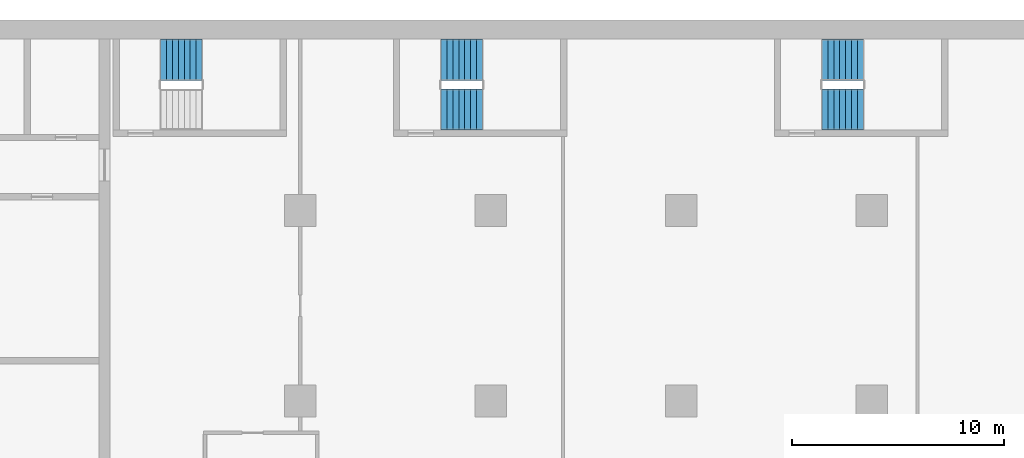
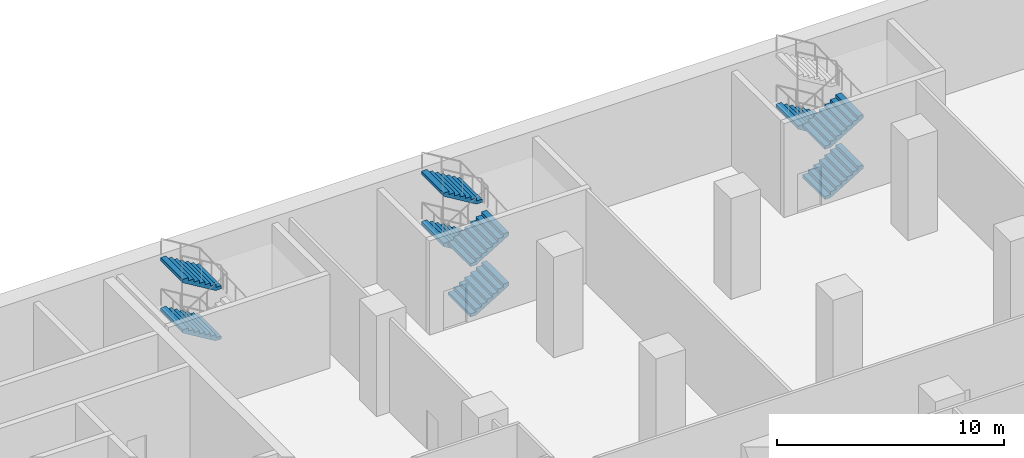
# One storey, part 28 of 43: 9 stair flights, 3 elements without a shape of their own.
"""IFC4 building model written with IfcOpenShell, lengths in metres."""

from ifc_helpers import new_model, si_unit, direction, frame, origin, place, context, subcontext, project, spatial, polyline, outline, extrude, material, type_object, element, aggregate, save


model = new_model("IFC4")

# Units and contexts
model_context = context("Model", 3, precision=1e-05, world=origin(), true_north=direction((0.0, 1.0)))
body_context = subcontext(model_context, "Body", "Model", "MODEL_VIEW")
ifc_project = project(units=[si_unit("LENGTHUNIT", "METRE"), si_unit("AREAUNIT", "SQUARE_METRE"), si_unit("VOLUMEUNIT", "CUBIC_METRE"), si_unit("PLANEANGLEUNIT", "RADIAN"), si_unit("MASSUNIT", "GRAM", prefix="KILO")], contexts=[model_context])

# Site, building, storey
site_placement = place(None, origin())
site = spatial("IfcSite", under=ifc_project, at=site_placement, CompositionType="ELEMENT")
building_placement = place(site_placement, origin())
building = spatial("IfcBuilding", under=site, at=building_placement, Name="Hunhe Ridgeline Campus", CompositionType="ELEMENT")
storey_placement = place(building_placement, frame((0.0, 0.0, 11.39990234375)))
storey = spatial("IfcBuildingStorey", under=building, at=storey_placement, Name="L02", CompositionType="ELEMENT", Elevation=11.39990234375)

# Stair, stair flights
ifc_material = material(Name="Concrete C40", Category="concrete")
stair_type = type_object("IfcStairType", Name="Reinforced concrete dog-leg stair 1950 Concrete C40", PredefinedType="HALF_TURN_STAIR", material=ifc_material)
stair_1_placement = place(storey_placement, origin())
stair_1 = element("IfcStair", 1, at=stair_1_placement, inside=storey, type_object=stair_type, Name="L02 E1", PredefinedType="HALF_TURN_STAIR")
stair_flight_type = type_object("IfcStairFlightType", Name="Reinforced concrete stair flight 1950 Concrete C40", PredefinedType="STRAIGHT", material=ifc_material)
stair_flight_1_placement = place(storey_placement, frame((40.360107421875, 97.125, 1.35009765625), z_axis=(0.0, 0.0, 1.0), x_axis=(-1.0, 0.0, 0.0)))
stair_flight_1 = element("IfcStairFlight", 2, at=stair_flight_1_placement, type_object=stair_flight_type, Name="ST5 flight 2", NumberOfRisers=8, NumberOfTreads=7, PredefinedType="STRAIGHT", RiserHeight=0.16875, TreadLength=0.28, context=body_context, shape_type="SweptSolid", body=[
    extrude(outline(polyline([(0.0, 0.0), (0.0, 0.168701171875), (0.280029296875, 0.168701171875), (0.280029296875, 0.33740234375), (0.56005859375, 0.33740234375), (0.56005859375, 0.50634765625), (0.840087890625, 0.50634765625), (0.840087890625, 0.675048828125), (1.1201171875, 0.675048828125), (1.1201171875, 0.84375), (1.39990234375, 0.84375), (1.39990234375, 1.012451171875), (1.679931640625, 1.012451171875), (1.679931640625, 1.18115234375), (1.9599609375, 1.18115234375), (1.9599609375, 1.35009765625), (1.9599609375, 1.00634765625), (0.29052734375, 0.0), (0.0, 0.0)])), frame((0.0, 0.97509765625, 0.0), z_axis=(0.0, -1.0, 0.0), x_axis=(1.0, 0.0, 0.0)), (0.0, 0.0, 1.0), 1.949951171875),
    extrude(outline(polyline([(0.030029296875, 0.030029296875), (0.030029296875, 0.138916015625), (0.31005859375, 0.138916015625), (0.31005859375, 0.3076171875), (0.590087890625, 0.3076171875), (0.590087890625, 0.476318359375), (0.8701171875, 0.476318359375), (0.8701171875, 0.64501953125), (1.14990234375, 0.64501953125), (1.14990234375, 0.813720703125), (1.429931640625, 0.813720703125), (1.429931640625, 0.982421875), (1.7099609375, 0.982421875), (1.7099609375, 1.1513671875), (1.929931640625, 1.1513671875), (1.929931640625, 1.023193359375), (0.281982421875, 0.030029296875), (0.030029296875, 0.030029296875)])), frame((0.0, -0.070068359375, 0.0), z_axis=(0.0, -1.0, 0.0), x_axis=(1.0, 0.0, 0.0)), (0.0, 0.0, 1.0), 0.019775390625),
    extrude(outline(polyline([(0.030029296875, 0.030029296875), (0.030029296875, 0.138916015625), (0.31005859375, 0.138916015625), (0.31005859375, 0.3076171875), (0.590087890625, 0.3076171875), (0.590087890625, 0.476318359375), (0.8701171875, 0.476318359375), (0.8701171875, 0.64501953125), (1.14990234375, 0.64501953125), (1.14990234375, 0.813720703125), (1.429931640625, 0.813720703125), (1.429931640625, 0.982421875), (1.7099609375, 0.982421875), (1.7099609375, 1.1513671875), (1.929931640625, 1.1513671875), (1.929931640625, 1.023193359375), (0.281982421875, 0.030029296875), (0.030029296875, 0.030029296875)])), frame((0.0, 0.010009765625, 0.0), z_axis=(0.0, -1.0, 0.0), x_axis=(1.0, 0.0, 0.0)), (0.0, 0.0, 1.0), 0.019775390625),
    extrude(outline(polyline([(0.030029296875, 0.030029296875), (0.030029296875, 0.138916015625), (0.31005859375, 0.138916015625), (0.31005859375, 0.3076171875), (0.590087890625, 0.3076171875), (0.590087890625, 0.476318359375), (0.8701171875, 0.476318359375), (0.8701171875, 0.64501953125), (1.14990234375, 0.64501953125), (1.14990234375, 0.813720703125), (1.429931640625, 0.813720703125), (1.429931640625, 0.982421875), (1.7099609375, 0.982421875), (1.7099609375, 1.1513671875), (1.929931640625, 1.1513671875), (1.929931640625, 1.023193359375), (0.281982421875, 0.030029296875), (0.030029296875, 0.030029296875)])), frame((0.0, 0.090087890625, 0.0), z_axis=(0.0, -1.0, 0.0), x_axis=(1.0, 0.0, 0.0)), (0.0, 0.0, 1.0), 0.019775390625),
])
stair_flight_2_placement = place(storey_placement, frame((40.360107421875, 97.125, 4.050048828125), z_axis=(0.0, 0.0, 1.0), x_axis=(-1.0, 0.0, 0.0)))
stair_flight_2 = element("IfcStairFlight", 3, at=stair_flight_2_placement, type_object=stair_flight_type, Name="ST5 flight 4", NumberOfRisers=8, NumberOfTreads=7, PredefinedType="STRAIGHT", RiserHeight=0.16875, TreadLength=0.28, context=body_context, shape_type="SweptSolid", body=[
    extrude(outline(polyline([(0.0, 0.0), (0.0, 0.168701171875), (0.280029296875, 0.168701171875), (0.280029296875, 0.33740234375), (0.56005859375, 0.33740234375), (0.56005859375, 0.50634765625), (0.840087890625, 0.50634765625), (0.840087890625, 0.675048828125), (1.1201171875, 0.675048828125), (1.1201171875, 0.84375), (1.39990234375, 0.84375), (1.39990234375, 1.012451171875), (1.679931640625, 1.012451171875), (1.679931640625, 1.18115234375), (1.9599609375, 1.18115234375), (1.9599609375, 1.35009765625), (1.9599609375, 1.00634765625), (0.29052734375, 0.0), (0.0, 0.0)])), frame((0.0, 0.97509765625, 0.0), z_axis=(0.0, -1.0, 0.0), x_axis=(1.0, 0.0, 0.0)), (0.0, 0.0, 1.0), 1.949951171875),
    extrude(outline(polyline([(0.030029296875, 0.030029296875), (0.030029296875, 0.138916015625), (0.31005859375, 0.138916015625), (0.31005859375, 0.3076171875), (0.590087890625, 0.3076171875), (0.590087890625, 0.476318359375), (0.8701171875, 0.476318359375), (0.8701171875, 0.64501953125), (1.14990234375, 0.64501953125), (1.14990234375, 0.813720703125), (1.429931640625, 0.813720703125), (1.429931640625, 0.982421875), (1.7099609375, 0.982421875), (1.7099609375, 1.1513671875), (1.929931640625, 1.1513671875), (1.929931640625, 1.023193359375), (0.281982421875, 0.030029296875), (0.030029296875, 0.030029296875)])), frame((0.0, -0.070068359375, 0.0), z_axis=(0.0, -1.0, 0.0), x_axis=(1.0, 0.0, 0.0)), (0.0, 0.0, 1.0), 0.019775390625),
    extrude(outline(polyline([(0.030029296875, 0.030029296875), (0.030029296875, 0.138916015625), (0.31005859375, 0.138916015625), (0.31005859375, 0.3076171875), (0.590087890625, 0.3076171875), (0.590087890625, 0.476318359375), (0.8701171875, 0.476318359375), (0.8701171875, 0.64501953125), (1.14990234375, 0.64501953125), (1.14990234375, 0.813720703125), (1.429931640625, 0.813720703125), (1.429931640625, 0.982421875), (1.7099609375, 0.982421875), (1.7099609375, 1.1513671875), (1.929931640625, 1.1513671875), (1.929931640625, 1.023193359375), (0.281982421875, 0.030029296875), (0.030029296875, 0.030029296875)])), frame((0.0, 0.010009765625, 0.0), z_axis=(0.0, -1.0, 0.0), x_axis=(1.0, 0.0, 0.0)), (0.0, 0.0, 1.0), 0.019775390625),
    extrude(outline(polyline([(0.030029296875, 0.030029296875), (0.030029296875, 0.138916015625), (0.31005859375, 0.138916015625), (0.31005859375, 0.3076171875), (0.590087890625, 0.3076171875), (0.590087890625, 0.476318359375), (0.8701171875, 0.476318359375), (0.8701171875, 0.64501953125), (1.14990234375, 0.64501953125), (1.14990234375, 0.813720703125), (1.429931640625, 0.813720703125), (1.429931640625, 0.982421875), (1.7099609375, 0.982421875), (1.7099609375, 1.1513671875), (1.929931640625, 1.1513671875), (1.929931640625, 1.023193359375), (0.281982421875, 0.030029296875), (0.030029296875, 0.030029296875)])), frame((0.0, 0.090087890625, 0.0), z_axis=(0.0, -1.0, 0.0), x_axis=(1.0, 0.0, 0.0)), (0.0, 0.0, 1.0), 0.019775390625),
])
aggregate(stair_1, [stair_flight_1, stair_flight_2])

stair_2_placement = place(storey_placement, origin())
stair_2 = element("IfcStair", 4, at=stair_2_placement, inside=storey, type_object=stair_type, Name="L02 E2", PredefinedType="HALF_TURN_STAIR")
stair_flight_3_placement = place(storey_placement, frame((51.64990234375, 94.77490234375, 0.0), z_axis=(0.0, 0.0, 1.0), x_axis=(1.0, 0.0, 0.0)))
stair_flight_3 = element("IfcStairFlight", 5, at=stair_flight_3_placement, type_object=stair_flight_type, Name="ST6 flight 1", NumberOfRisers=8, NumberOfTreads=7, PredefinedType="STRAIGHT", RiserHeight=0.16875, TreadLength=0.28, context=body_context, shape_type="SweptSolid", body=[
    extrude(outline(polyline([(0.0, 0.0), (0.0, 0.168701171875), (0.280029296875, 0.168701171875), (0.280029296875, 0.33740234375), (0.56005859375, 0.33740234375), (0.56005859375, 0.50634765625), (0.840087890625, 0.50634765625), (0.840087890625, 0.675048828125), (1.1201171875, 0.675048828125), (1.1201171875, 0.84375), (1.39990234375, 0.84375), (1.39990234375, 1.012451171875), (1.679931640625, 1.012451171875), (1.679931640625, 1.18115234375), (1.9599609375, 1.18115234375), (1.9599609375, 1.35009765625), (1.9599609375, 1.00634765625), (0.29052734375, 0.0), (0.0, 0.0)])), frame((0.0, 0.97509765625, 0.0), z_axis=(0.0, -1.0, 0.0), x_axis=(1.0, 0.0, 0.0)), (0.0, 0.0, 1.0), 1.949951171875),
    extrude(outline(polyline([(0.030029296875, 0.030029296875), (0.030029296875, 0.138916015625), (0.31005859375, 0.138916015625), (0.31005859375, 0.3076171875), (0.590087890625, 0.3076171875), (0.590087890625, 0.476318359375), (0.8701171875, 0.476318359375), (0.8701171875, 0.64501953125), (1.14990234375, 0.64501953125), (1.14990234375, 0.813720703125), (1.429931640625, 0.813720703125), (1.429931640625, 0.982421875), (1.7099609375, 0.982421875), (1.7099609375, 1.1513671875), (1.929931640625, 1.1513671875), (1.929931640625, 1.023193359375), (0.281982421875, 0.030029296875), (0.030029296875, 0.030029296875)])), frame((0.0, -0.070068359375, 0.0), z_axis=(0.0, -1.0, 0.0), x_axis=(1.0, 0.0, 0.0)), (0.0, 0.0, 1.0), 0.019775390625),
    extrude(outline(polyline([(0.030029296875, 0.030029296875), (0.030029296875, 0.138916015625), (0.31005859375, 0.138916015625), (0.31005859375, 0.3076171875), (0.590087890625, 0.3076171875), (0.590087890625, 0.476318359375), (0.8701171875, 0.476318359375), (0.8701171875, 0.64501953125), (1.14990234375, 0.64501953125), (1.14990234375, 0.813720703125), (1.429931640625, 0.813720703125), (1.429931640625, 0.982421875), (1.7099609375, 0.982421875), (1.7099609375, 1.1513671875), (1.929931640625, 1.1513671875), (1.929931640625, 1.023193359375), (0.281982421875, 0.030029296875), (0.030029296875, 0.030029296875)])), frame((0.0, 0.010009765625, 0.0), z_axis=(0.0, -1.0, 0.0), x_axis=(1.0, 0.0, 0.0)), (0.0, 0.0, 1.0), 0.019775390625),
    extrude(outline(polyline([(0.030029296875, 0.030029296875), (0.030029296875, 0.138916015625), (0.31005859375, 0.138916015625), (0.31005859375, 0.3076171875), (0.590087890625, 0.3076171875), (0.590087890625, 0.476318359375), (0.8701171875, 0.476318359375), (0.8701171875, 0.64501953125), (1.14990234375, 0.64501953125), (1.14990234375, 0.813720703125), (1.429931640625, 0.813720703125), (1.429931640625, 0.982421875), (1.7099609375, 0.982421875), (1.7099609375, 1.1513671875), (1.929931640625, 1.1513671875), (1.929931640625, 1.023193359375), (0.281982421875, 0.030029296875), (0.030029296875, 0.030029296875)])), frame((0.0, 0.090087890625, 0.0), z_axis=(0.0, -1.0, 0.0), x_axis=(1.0, 0.0, 0.0)), (0.0, 0.0, 1.0), 0.019775390625),
])
stair_flight_4_placement = place(storey_placement, frame((53.610107421875, 97.125, 1.35009765625), z_axis=(0.0, 0.0, 1.0), x_axis=(-1.0, 0.0, 0.0)))
stair_flight_4 = element("IfcStairFlight", 6, at=stair_flight_4_placement, type_object=stair_flight_type, Name="ST6 flight 2", NumberOfRisers=8, NumberOfTreads=7, PredefinedType="STRAIGHT", RiserHeight=0.16875, TreadLength=0.28, context=body_context, shape_type="SweptSolid", body=[
    extrude(outline(polyline([(0.0, 0.0), (0.0, 0.168701171875), (0.280029296875, 0.168701171875), (0.280029296875, 0.33740234375), (0.56005859375, 0.33740234375), (0.56005859375, 0.50634765625), (0.840087890625, 0.50634765625), (0.840087890625, 0.675048828125), (1.1201171875, 0.675048828125), (1.1201171875, 0.84375), (1.39990234375, 0.84375), (1.39990234375, 1.012451171875), (1.679931640625, 1.012451171875), (1.679931640625, 1.18115234375), (1.9599609375, 1.18115234375), (1.9599609375, 1.35009765625), (1.9599609375, 1.00634765625), (0.29052734375, 0.0), (0.0, 0.0)])), frame((0.0, 0.97509765625, 0.0), z_axis=(0.0, -1.0, 0.0), x_axis=(1.0, 0.0, 0.0)), (0.0, 0.0, 1.0), 1.949951171875),
    extrude(outline(polyline([(0.030029296875, 0.030029296875), (0.030029296875, 0.138916015625), (0.31005859375, 0.138916015625), (0.31005859375, 0.3076171875), (0.590087890625, 0.3076171875), (0.590087890625, 0.476318359375), (0.8701171875, 0.476318359375), (0.8701171875, 0.64501953125), (1.14990234375, 0.64501953125), (1.14990234375, 0.813720703125), (1.429931640625, 0.813720703125), (1.429931640625, 0.982421875), (1.7099609375, 0.982421875), (1.7099609375, 1.1513671875), (1.929931640625, 1.1513671875), (1.929931640625, 1.023193359375), (0.281982421875, 0.030029296875), (0.030029296875, 0.030029296875)])), frame((0.0, -0.070068359375, 0.0), z_axis=(0.0, -1.0, 0.0), x_axis=(1.0, 0.0, 0.0)), (0.0, 0.0, 1.0), 0.019775390625),
    extrude(outline(polyline([(0.030029296875, 0.030029296875), (0.030029296875, 0.138916015625), (0.31005859375, 0.138916015625), (0.31005859375, 0.3076171875), (0.590087890625, 0.3076171875), (0.590087890625, 0.476318359375), (0.8701171875, 0.476318359375), (0.8701171875, 0.64501953125), (1.14990234375, 0.64501953125), (1.14990234375, 0.813720703125), (1.429931640625, 0.813720703125), (1.429931640625, 0.982421875), (1.7099609375, 0.982421875), (1.7099609375, 1.1513671875), (1.929931640625, 1.1513671875), (1.929931640625, 1.023193359375), (0.281982421875, 0.030029296875), (0.030029296875, 0.030029296875)])), frame((0.0, 0.010009765625, 0.0), z_axis=(0.0, -1.0, 0.0), x_axis=(1.0, 0.0, 0.0)), (0.0, 0.0, 1.0), 0.019775390625),
    extrude(outline(polyline([(0.030029296875, 0.030029296875), (0.030029296875, 0.138916015625), (0.31005859375, 0.138916015625), (0.31005859375, 0.3076171875), (0.590087890625, 0.3076171875), (0.590087890625, 0.476318359375), (0.8701171875, 0.476318359375), (0.8701171875, 0.64501953125), (1.14990234375, 0.64501953125), (1.14990234375, 0.813720703125), (1.429931640625, 0.813720703125), (1.429931640625, 0.982421875), (1.7099609375, 0.982421875), (1.7099609375, 1.1513671875), (1.929931640625, 1.1513671875), (1.929931640625, 1.023193359375), (0.281982421875, 0.030029296875), (0.030029296875, 0.030029296875)])), frame((0.0, 0.090087890625, 0.0), z_axis=(0.0, -1.0, 0.0), x_axis=(1.0, 0.0, 0.0)), (0.0, 0.0, 1.0), 0.019775390625),
])
stair_flight_5_placement = place(storey_placement, frame((51.64990234375, 94.77490234375, 2.7001953125), z_axis=(0.0, 0.0, 1.0), x_axis=(1.0, 0.0, 0.0)))
stair_flight_5 = element("IfcStairFlight", 7, at=stair_flight_5_placement, type_object=stair_flight_type, Name="ST6 flight 3", NumberOfRisers=8, NumberOfTreads=7, PredefinedType="STRAIGHT", RiserHeight=0.16875, TreadLength=0.28, context=body_context, shape_type="SweptSolid", body=[
    extrude(outline(polyline([(0.0, 0.0), (0.0, 0.168701171875), (0.280029296875, 0.168701171875), (0.280029296875, 0.33740234375), (0.56005859375, 0.33740234375), (0.56005859375, 0.50634765625), (0.840087890625, 0.50634765625), (0.840087890625, 0.675048828125), (1.1201171875, 0.675048828125), (1.1201171875, 0.84375), (1.39990234375, 0.84375), (1.39990234375, 1.012451171875), (1.679931640625, 1.012451171875), (1.679931640625, 1.18115234375), (1.9599609375, 1.18115234375), (1.9599609375, 1.35009765625), (1.9599609375, 1.00634765625), (0.29052734375, 0.0), (0.0, 0.0)])), frame((0.0, 0.97509765625, 0.0), z_axis=(0.0, -1.0, 0.0), x_axis=(1.0, 0.0, 0.0)), (0.0, 0.0, 1.0), 1.949951171875),
    extrude(outline(polyline([(0.030029296875, 0.030029296875), (0.030029296875, 0.138916015625), (0.31005859375, 0.138916015625), (0.31005859375, 0.3076171875), (0.590087890625, 0.3076171875), (0.590087890625, 0.476318359375), (0.8701171875, 0.476318359375), (0.8701171875, 0.64501953125), (1.14990234375, 0.64501953125), (1.14990234375, 0.813720703125), (1.429931640625, 0.813720703125), (1.429931640625, 0.982421875), (1.7099609375, 0.982421875), (1.7099609375, 1.1513671875), (1.929931640625, 1.1513671875), (1.929931640625, 1.023193359375), (0.281982421875, 0.030029296875), (0.030029296875, 0.030029296875)])), frame((0.0, -0.070068359375, 0.0), z_axis=(0.0, -1.0, 0.0), x_axis=(1.0, 0.0, 0.0)), (0.0, 0.0, 1.0), 0.019775390625),
    extrude(outline(polyline([(0.030029296875, 0.030029296875), (0.030029296875, 0.138916015625), (0.31005859375, 0.138916015625), (0.31005859375, 0.3076171875), (0.590087890625, 0.3076171875), (0.590087890625, 0.476318359375), (0.8701171875, 0.476318359375), (0.8701171875, 0.64501953125), (1.14990234375, 0.64501953125), (1.14990234375, 0.813720703125), (1.429931640625, 0.813720703125), (1.429931640625, 0.982421875), (1.7099609375, 0.982421875), (1.7099609375, 1.1513671875), (1.929931640625, 1.1513671875), (1.929931640625, 1.023193359375), (0.281982421875, 0.030029296875), (0.030029296875, 0.030029296875)])), frame((0.0, 0.010009765625, 0.0), z_axis=(0.0, -1.0, 0.0), x_axis=(1.0, 0.0, 0.0)), (0.0, 0.0, 1.0), 0.019775390625),
    extrude(outline(polyline([(0.030029296875, 0.030029296875), (0.030029296875, 0.138916015625), (0.31005859375, 0.138916015625), (0.31005859375, 0.3076171875), (0.590087890625, 0.3076171875), (0.590087890625, 0.476318359375), (0.8701171875, 0.476318359375), (0.8701171875, 0.64501953125), (1.14990234375, 0.64501953125), (1.14990234375, 0.813720703125), (1.429931640625, 0.813720703125), (1.429931640625, 0.982421875), (1.7099609375, 0.982421875), (1.7099609375, 1.1513671875), (1.929931640625, 1.1513671875), (1.929931640625, 1.023193359375), (0.281982421875, 0.030029296875), (0.030029296875, 0.030029296875)])), frame((0.0, 0.090087890625, 0.0), z_axis=(0.0, -1.0, 0.0), x_axis=(1.0, 0.0, 0.0)), (0.0, 0.0, 1.0), 0.019775390625),
])
stair_flight_6_placement = place(storey_placement, frame((53.610107421875, 97.125, 4.050048828125), z_axis=(0.0, 0.0, 1.0), x_axis=(-1.0, 0.0, 0.0)))
stair_flight_6 = element("IfcStairFlight", 8, at=stair_flight_6_placement, type_object=stair_flight_type, Name="ST6 flight 4", NumberOfRisers=8, NumberOfTreads=7, PredefinedType="STRAIGHT", RiserHeight=0.16875, TreadLength=0.28, context=body_context, shape_type="SweptSolid", body=[
    extrude(outline(polyline([(0.0, 0.0), (0.0, 0.168701171875), (0.280029296875, 0.168701171875), (0.280029296875, 0.33740234375), (0.56005859375, 0.33740234375), (0.56005859375, 0.50634765625), (0.840087890625, 0.50634765625), (0.840087890625, 0.675048828125), (1.1201171875, 0.675048828125), (1.1201171875, 0.84375), (1.39990234375, 0.84375), (1.39990234375, 1.012451171875), (1.679931640625, 1.012451171875), (1.679931640625, 1.18115234375), (1.9599609375, 1.18115234375), (1.9599609375, 1.35009765625), (1.9599609375, 1.00634765625), (0.29052734375, 0.0), (0.0, 0.0)])), frame((0.0, 0.97509765625, 0.0), z_axis=(0.0, -1.0, 0.0), x_axis=(1.0, 0.0, 0.0)), (0.0, 0.0, 1.0), 1.949951171875),
    extrude(outline(polyline([(0.030029296875, 0.030029296875), (0.030029296875, 0.138916015625), (0.31005859375, 0.138916015625), (0.31005859375, 0.3076171875), (0.590087890625, 0.3076171875), (0.590087890625, 0.476318359375), (0.8701171875, 0.476318359375), (0.8701171875, 0.64501953125), (1.14990234375, 0.64501953125), (1.14990234375, 0.813720703125), (1.429931640625, 0.813720703125), (1.429931640625, 0.982421875), (1.7099609375, 0.982421875), (1.7099609375, 1.1513671875), (1.929931640625, 1.1513671875), (1.929931640625, 1.023193359375), (0.281982421875, 0.030029296875), (0.030029296875, 0.030029296875)])), frame((0.0, -0.070068359375, 0.0), z_axis=(0.0, -1.0, 0.0), x_axis=(1.0, 0.0, 0.0)), (0.0, 0.0, 1.0), 0.019775390625),
    extrude(outline(polyline([(0.030029296875, 0.030029296875), (0.030029296875, 0.138916015625), (0.31005859375, 0.138916015625), (0.31005859375, 0.3076171875), (0.590087890625, 0.3076171875), (0.590087890625, 0.476318359375), (0.8701171875, 0.476318359375), (0.8701171875, 0.64501953125), (1.14990234375, 0.64501953125), (1.14990234375, 0.813720703125), (1.429931640625, 0.813720703125), (1.429931640625, 0.982421875), (1.7099609375, 0.982421875), (1.7099609375, 1.1513671875), (1.929931640625, 1.1513671875), (1.929931640625, 1.023193359375), (0.281982421875, 0.030029296875), (0.030029296875, 0.030029296875)])), frame((0.0, 0.010009765625, 0.0), z_axis=(0.0, -1.0, 0.0), x_axis=(1.0, 0.0, 0.0)), (0.0, 0.0, 1.0), 0.019775390625),
    extrude(outline(polyline([(0.030029296875, 0.030029296875), (0.030029296875, 0.138916015625), (0.31005859375, 0.138916015625), (0.31005859375, 0.3076171875), (0.590087890625, 0.3076171875), (0.590087890625, 0.476318359375), (0.8701171875, 0.476318359375), (0.8701171875, 0.64501953125), (1.14990234375, 0.64501953125), (1.14990234375, 0.813720703125), (1.429931640625, 0.813720703125), (1.429931640625, 0.982421875), (1.7099609375, 0.982421875), (1.7099609375, 1.1513671875), (1.929931640625, 1.1513671875), (1.929931640625, 1.023193359375), (0.281982421875, 0.030029296875), (0.030029296875, 0.030029296875)])), frame((0.0, 0.090087890625, 0.0), z_axis=(0.0, -1.0, 0.0), x_axis=(1.0, 0.0, 0.0)), (0.0, 0.0, 1.0), 0.019775390625),
])
aggregate(stair_2, [stair_flight_3, stair_flight_4, stair_flight_5, stair_flight_6])

stair_3_placement = place(storey_placement, origin())
stair_3 = element("IfcStair", 9, at=stair_3_placement, inside=storey, type_object=stair_type, Name="L02 E3", PredefinedType="HALF_TURN_STAIR")
stair_flight_7_placement = place(storey_placement, frame((69.64990234375, 94.77490234375, 0.0), z_axis=(0.0, 0.0, 1.0), x_axis=(1.0, 0.0, 0.0)))
stair_flight_7 = element("IfcStairFlight", 10, at=stair_flight_7_placement, type_object=stair_flight_type, Name="ST7 flight 1", NumberOfRisers=8, NumberOfTreads=7, PredefinedType="STRAIGHT", RiserHeight=0.16875, TreadLength=0.28, context=body_context, shape_type="SweptSolid", body=[
    extrude(outline(polyline([(0.0, 0.0), (0.0, 0.168701171875), (0.280029296875, 0.168701171875), (0.280029296875, 0.33740234375), (0.56005859375, 0.33740234375), (0.56005859375, 0.50634765625), (0.840087890625, 0.50634765625), (0.840087890625, 0.675048828125), (1.1201171875, 0.675048828125), (1.1201171875, 0.84375), (1.39990234375, 0.84375), (1.39990234375, 1.012451171875), (1.679931640625, 1.012451171875), (1.679931640625, 1.18115234375), (1.9599609375, 1.18115234375), (1.9599609375, 1.35009765625), (1.9599609375, 1.00634765625), (0.29052734375, 0.0), (0.0, 0.0)])), frame((0.0, 0.97509765625, 0.0), z_axis=(0.0, -1.0, 0.0), x_axis=(1.0, 0.0, 0.0)), (0.0, 0.0, 1.0), 1.949951171875),
    extrude(outline(polyline([(0.030029296875, 0.030029296875), (0.030029296875, 0.138916015625), (0.31005859375, 0.138916015625), (0.31005859375, 0.3076171875), (0.590087890625, 0.3076171875), (0.590087890625, 0.476318359375), (0.8701171875, 0.476318359375), (0.8701171875, 0.64501953125), (1.14990234375, 0.64501953125), (1.14990234375, 0.813720703125), (1.429931640625, 0.813720703125), (1.429931640625, 0.982421875), (1.7099609375, 0.982421875), (1.7099609375, 1.1513671875), (1.929931640625, 1.1513671875), (1.929931640625, 1.023193359375), (0.281982421875, 0.030029296875), (0.030029296875, 0.030029296875)])), frame((0.0, -0.070068359375, 0.0), z_axis=(0.0, -1.0, 0.0), x_axis=(1.0, 0.0, 0.0)), (0.0, 0.0, 1.0), 0.019775390625),
    extrude(outline(polyline([(0.030029296875, 0.030029296875), (0.030029296875, 0.138916015625), (0.31005859375, 0.138916015625), (0.31005859375, 0.3076171875), (0.590087890625, 0.3076171875), (0.590087890625, 0.476318359375), (0.8701171875, 0.476318359375), (0.8701171875, 0.64501953125), (1.14990234375, 0.64501953125), (1.14990234375, 0.813720703125), (1.429931640625, 0.813720703125), (1.429931640625, 0.982421875), (1.7099609375, 0.982421875), (1.7099609375, 1.1513671875), (1.929931640625, 1.1513671875), (1.929931640625, 1.023193359375), (0.281982421875, 0.030029296875), (0.030029296875, 0.030029296875)])), frame((0.0, 0.010009765625, 0.0), z_axis=(0.0, -1.0, 0.0), x_axis=(1.0, 0.0, 0.0)), (0.0, 0.0, 1.0), 0.019775390625),
    extrude(outline(polyline([(0.030029296875, 0.030029296875), (0.030029296875, 0.138916015625), (0.31005859375, 0.138916015625), (0.31005859375, 0.3076171875), (0.590087890625, 0.3076171875), (0.590087890625, 0.476318359375), (0.8701171875, 0.476318359375), (0.8701171875, 0.64501953125), (1.14990234375, 0.64501953125), (1.14990234375, 0.813720703125), (1.429931640625, 0.813720703125), (1.429931640625, 0.982421875), (1.7099609375, 0.982421875), (1.7099609375, 1.1513671875), (1.929931640625, 1.1513671875), (1.929931640625, 1.023193359375), (0.281982421875, 0.030029296875), (0.030029296875, 0.030029296875)])), frame((0.0, 0.090087890625, 0.0), z_axis=(0.0, -1.0, 0.0), x_axis=(1.0, 0.0, 0.0)), (0.0, 0.0, 1.0), 0.019775390625),
])
stair_flight_8_placement = place(storey_placement, frame((71.610107421875, 97.125, 1.35009765625), z_axis=(0.0, 0.0, 1.0), x_axis=(-1.0, 0.0, 0.0)))
stair_flight_8 = element("IfcStairFlight", 11, at=stair_flight_8_placement, type_object=stair_flight_type, Name="ST7 flight 2", NumberOfRisers=8, NumberOfTreads=7, PredefinedType="STRAIGHT", RiserHeight=0.16875, TreadLength=0.28, context=body_context, shape_type="SweptSolid", body=[
    extrude(outline(polyline([(0.0, 0.0), (0.0, 0.168701171875), (0.280029296875, 0.168701171875), (0.280029296875, 0.33740234375), (0.56005859375, 0.33740234375), (0.56005859375, 0.50634765625), (0.840087890625, 0.50634765625), (0.840087890625, 0.675048828125), (1.1201171875, 0.675048828125), (1.1201171875, 0.84375), (1.39990234375, 0.84375), (1.39990234375, 1.012451171875), (1.679931640625, 1.012451171875), (1.679931640625, 1.18115234375), (1.9599609375, 1.18115234375), (1.9599609375, 1.35009765625), (1.9599609375, 1.00634765625), (0.29052734375, 0.0), (0.0, 0.0)])), frame((0.0, 0.97509765625, 0.0), z_axis=(0.0, -1.0, 0.0), x_axis=(1.0, 0.0, 0.0)), (0.0, 0.0, 1.0), 1.949951171875),
    extrude(outline(polyline([(0.030029296875, 0.030029296875), (0.030029296875, 0.138916015625), (0.31005859375, 0.138916015625), (0.31005859375, 0.3076171875), (0.590087890625, 0.3076171875), (0.590087890625, 0.476318359375), (0.8701171875, 0.476318359375), (0.8701171875, 0.64501953125), (1.14990234375, 0.64501953125), (1.14990234375, 0.813720703125), (1.429931640625, 0.813720703125), (1.429931640625, 0.982421875), (1.7099609375, 0.982421875), (1.7099609375, 1.1513671875), (1.929931640625, 1.1513671875), (1.929931640625, 1.023193359375), (0.281982421875, 0.030029296875), (0.030029296875, 0.030029296875)])), frame((0.0, -0.070068359375, 0.0), z_axis=(0.0, -1.0, 0.0), x_axis=(1.0, 0.0, 0.0)), (0.0, 0.0, 1.0), 0.019775390625),
    extrude(outline(polyline([(0.030029296875, 0.030029296875), (0.030029296875, 0.138916015625), (0.31005859375, 0.138916015625), (0.31005859375, 0.3076171875), (0.590087890625, 0.3076171875), (0.590087890625, 0.476318359375), (0.8701171875, 0.476318359375), (0.8701171875, 0.64501953125), (1.14990234375, 0.64501953125), (1.14990234375, 0.813720703125), (1.429931640625, 0.813720703125), (1.429931640625, 0.982421875), (1.7099609375, 0.982421875), (1.7099609375, 1.1513671875), (1.929931640625, 1.1513671875), (1.929931640625, 1.023193359375), (0.281982421875, 0.030029296875), (0.030029296875, 0.030029296875)])), frame((0.0, 0.010009765625, 0.0), z_axis=(0.0, -1.0, 0.0), x_axis=(1.0, 0.0, 0.0)), (0.0, 0.0, 1.0), 0.019775390625),
    extrude(outline(polyline([(0.030029296875, 0.030029296875), (0.030029296875, 0.138916015625), (0.31005859375, 0.138916015625), (0.31005859375, 0.3076171875), (0.590087890625, 0.3076171875), (0.590087890625, 0.476318359375), (0.8701171875, 0.476318359375), (0.8701171875, 0.64501953125), (1.14990234375, 0.64501953125), (1.14990234375, 0.813720703125), (1.429931640625, 0.813720703125), (1.429931640625, 0.982421875), (1.7099609375, 0.982421875), (1.7099609375, 1.1513671875), (1.929931640625, 1.1513671875), (1.929931640625, 1.023193359375), (0.281982421875, 0.030029296875), (0.030029296875, 0.030029296875)])), frame((0.0, 0.090087890625, 0.0), z_axis=(0.0, -1.0, 0.0), x_axis=(1.0, 0.0, 0.0)), (0.0, 0.0, 1.0), 0.019775390625),
])
stair_flight_9_placement = place(storey_placement, frame((69.64990234375, 94.77490234375, 2.7001953125), z_axis=(0.0, 0.0, 1.0), x_axis=(1.0, 0.0, 0.0)))
stair_flight_9 = element("IfcStairFlight", 12, at=stair_flight_9_placement, type_object=stair_flight_type, Name="ST7 flight 3", NumberOfRisers=8, NumberOfTreads=7, PredefinedType="STRAIGHT", RiserHeight=0.16875, TreadLength=0.28, context=body_context, shape_type="SweptSolid", body=[
    extrude(outline(polyline([(0.0, 0.0), (0.0, 0.168701171875), (0.280029296875, 0.168701171875), (0.280029296875, 0.33740234375), (0.56005859375, 0.33740234375), (0.56005859375, 0.50634765625), (0.840087890625, 0.50634765625), (0.840087890625, 0.675048828125), (1.1201171875, 0.675048828125), (1.1201171875, 0.84375), (1.39990234375, 0.84375), (1.39990234375, 1.012451171875), (1.679931640625, 1.012451171875), (1.679931640625, 1.18115234375), (1.9599609375, 1.18115234375), (1.9599609375, 1.35009765625), (1.9599609375, 1.00634765625), (0.29052734375, 0.0), (0.0, 0.0)])), frame((0.0, 0.97509765625, 0.0), z_axis=(0.0, -1.0, 0.0), x_axis=(1.0, 0.0, 0.0)), (0.0, 0.0, 1.0), 1.949951171875),
    extrude(outline(polyline([(0.030029296875, 0.030029296875), (0.030029296875, 0.138916015625), (0.31005859375, 0.138916015625), (0.31005859375, 0.3076171875), (0.590087890625, 0.3076171875), (0.590087890625, 0.476318359375), (0.8701171875, 0.476318359375), (0.8701171875, 0.64501953125), (1.14990234375, 0.64501953125), (1.14990234375, 0.813720703125), (1.429931640625, 0.813720703125), (1.429931640625, 0.982421875), (1.7099609375, 0.982421875), (1.7099609375, 1.1513671875), (1.929931640625, 1.1513671875), (1.929931640625, 1.023193359375), (0.281982421875, 0.030029296875), (0.030029296875, 0.030029296875)])), frame((0.0, -0.070068359375, 0.0), z_axis=(0.0, -1.0, 0.0), x_axis=(1.0, 0.0, 0.0)), (0.0, 0.0, 1.0), 0.019775390625),
    extrude(outline(polyline([(0.030029296875, 0.030029296875), (0.030029296875, 0.138916015625), (0.31005859375, 0.138916015625), (0.31005859375, 0.3076171875), (0.590087890625, 0.3076171875), (0.590087890625, 0.476318359375), (0.8701171875, 0.476318359375), (0.8701171875, 0.64501953125), (1.14990234375, 0.64501953125), (1.14990234375, 0.813720703125), (1.429931640625, 0.813720703125), (1.429931640625, 0.982421875), (1.7099609375, 0.982421875), (1.7099609375, 1.1513671875), (1.929931640625, 1.1513671875), (1.929931640625, 1.023193359375), (0.281982421875, 0.030029296875), (0.030029296875, 0.030029296875)])), frame((0.0, 0.010009765625, 0.0), z_axis=(0.0, -1.0, 0.0), x_axis=(1.0, 0.0, 0.0)), (0.0, 0.0, 1.0), 0.019775390625),
    extrude(outline(polyline([(0.030029296875, 0.030029296875), (0.030029296875, 0.138916015625), (0.31005859375, 0.138916015625), (0.31005859375, 0.3076171875), (0.590087890625, 0.3076171875), (0.590087890625, 0.476318359375), (0.8701171875, 0.476318359375), (0.8701171875, 0.64501953125), (1.14990234375, 0.64501953125), (1.14990234375, 0.813720703125), (1.429931640625, 0.813720703125), (1.429931640625, 0.982421875), (1.7099609375, 0.982421875), (1.7099609375, 1.1513671875), (1.929931640625, 1.1513671875), (1.929931640625, 1.023193359375), (0.281982421875, 0.030029296875), (0.030029296875, 0.030029296875)])), frame((0.0, 0.090087890625, 0.0), z_axis=(0.0, -1.0, 0.0), x_axis=(1.0, 0.0, 0.0)), (0.0, 0.0, 1.0), 0.019775390625),
])
aggregate(stair_3, [stair_flight_7, stair_flight_8, stair_flight_9])

save(model, "model.ifc")
